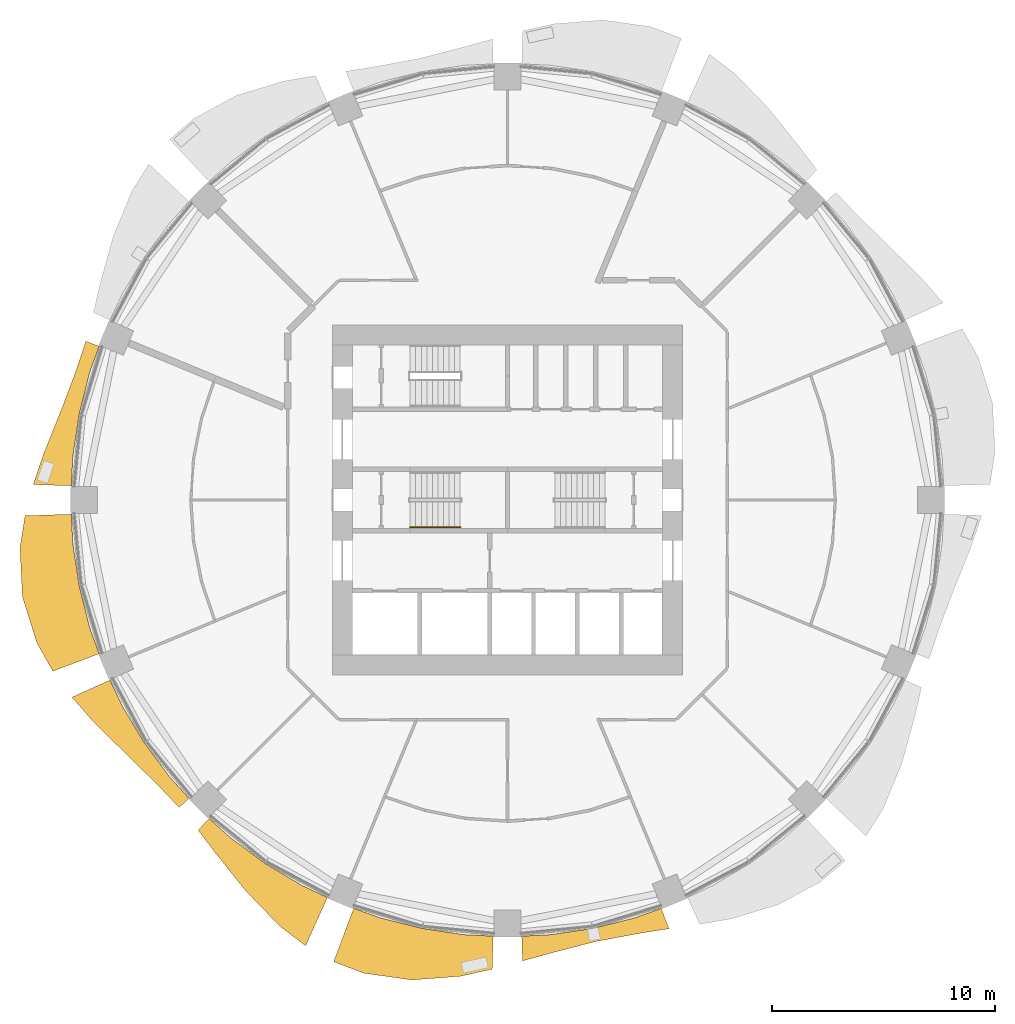
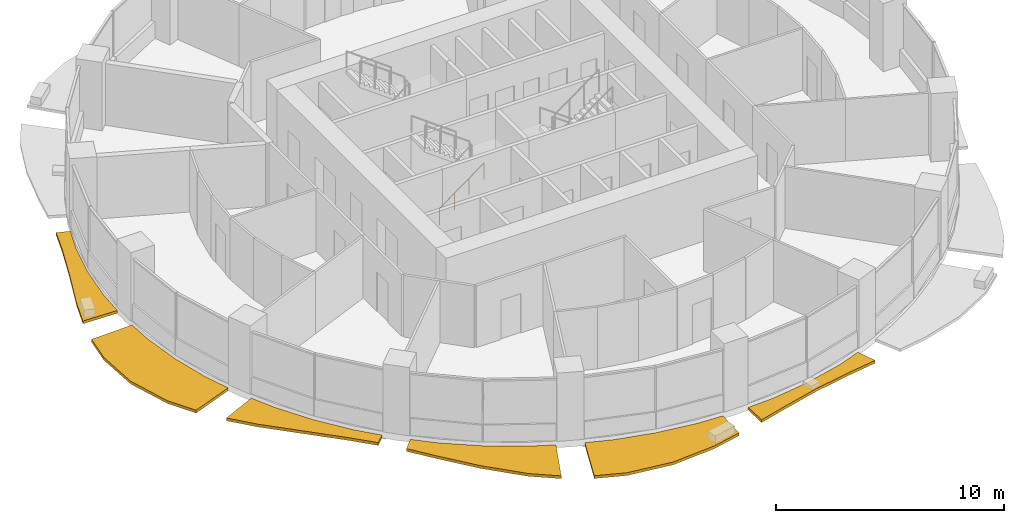
# One storey, part 12 of 15: 6 shading devices, 1 railing.
"""IFC4 building model written with IfcOpenShell, lengths in metres."""

from ifc_helpers import new_model, si_unit, direction, frame, origin, origin_2d, place, context, subcontext, project, spatial, polyline, circle, outline, extrude, material, type_object, element, save


model = new_model("IFC4")

# Units and contexts
model_context = context("Model", 3, precision=1e-05, world=origin(), true_north=direction((0.0, 1.0)))
body_context = subcontext(model_context, "Body", "Model", "MODEL_VIEW")
ifc_project = project(units=[si_unit("LENGTHUNIT", "METRE"), si_unit("AREAUNIT", "SQUARE_METRE"), si_unit("VOLUMEUNIT", "CUBIC_METRE"), si_unit("PLANEANGLEUNIT", "RADIAN"), si_unit("MASSUNIT", "GRAM", prefix="KILO")], contexts=[model_context])

# Site, building, storey
site_placement = place(None, origin())
site = spatial("IfcSite", under=ifc_project, at=site_placement, CompositionType="ELEMENT")
building_placement = place(site_placement, origin())
building = spatial("IfcBuilding", under=site, at=building_placement, Name="Polderwave Tower", CompositionType="ELEMENT")
storey_placement = place(building_placement, frame((0.0, 0.0, 55.39990234375)))
storey = spatial("IfcBuildingStorey", under=building, at=storey_placement, Name="L14", CompositionType="ELEMENT", Elevation=55.39990234375)

# Railing
ifc_material_1 = material(Name="Stainless steel", Category="steel")
railing_type = type_object("IfcRailingType", Name="Stair handrail 900", PredefinedType="HANDRAIL", material=ifc_material_1)
railing_placement = place(storey_placement, frame((-4.3740234375, -1.22509765625, 0.1826171875)))
element("IfcRailing", 1, at=railing_placement, inside=storey, type_object=railing_type, Name="L14 ST-A stair handrail 1", PredefinedType="HANDRAIL", context=body_context, shape_type="SweptSolid", body=[
    extrude(circle(Radius=0.02392578125, at=origin_2d()), frame((0.0, 0.0, 0.8759765625), z_axis=(0.807673635365, 0.0, 0.58962979804), x_axis=(0.0, 1.0, 0.0)), (0.0, 0.0, 1.0), 2.785888671875),
    extrude(circle(Radius=0.02099609375, at=origin_2d()), origin(), (0.0, 0.0, 1.0), 0.851806640625),
    extrude(circle(Radius=0.02099609375, at=origin_2d()), frame((0.75, 0.0, 0.547607421875)), (0.0, 0.0, 1.0), 0.851806640625),
    extrude(circle(Radius=0.02099609375, at=origin_2d()), frame((1.5, 0.0, 1.094970703125)), (0.0, 0.0, 1.0), 0.851806640625),
    extrude(circle(Radius=0.02099609375, at=origin_2d()), frame((2.25, 0.0, 1.642578125)), (0.0, 0.0, 1.0), 0.851806640625),
])

# Shading devices
ifc_material_2 = material(Name="Terracotta", Category="masonry")
shading_device_type = type_object("IfcShadingDeviceType", Name="Terracotta sunshade band", PredefinedType="USERDEFINED", material=ifc_material_2)
shading_device_1_placement = place(storey_placement, frame((0.0, 0.0, -0.349853515625)))
element("IfcShadingDevice", 2, at=shading_device_1_placement, inside=storey, type_object=shading_device_type, Name="Sunshade band L14 8", ObjectType="SUNSHADE", PredefinedType="USERDEFINED", context=body_context, shape_type="SweptSolid", body=[
    extrude(outline(polyline([(-18.35107421875, 6.91064453125), (-18.78466796875, 5.6982421875), (-19.252685546875, 3.82958984375), (-19.535400390625, 1.924072265625), (-19.5986328125, 0.637939453125), (-21.3125, 0.69384765625), (-20.85400390625, 2.053955078125), (-20.073974609375, 3.992919921875), (-19.364990234375, 5.874267578125), (-18.94873046875, 7.1357421875), (-18.35107421875, 6.91064453125)])), origin(), (0.0, 0.0, 1.0), 0.14990234375),
])
shading_device_2_placement = place(storey_placement, frame((0.0, 0.0, -0.349853515625)))
element("IfcShadingDevice", 3, at=shading_device_2_placement, inside=storey, type_object=shading_device_type, Name="Sunshade band L14 9", ObjectType="SUNSHADE", PredefinedType="USERDEFINED", context=body_context, shape_type="SweptSolid", body=[
    extrude(outline(polyline([(-19.5986328125, -0.637939453125), (-19.535400390625, -1.924072265625), (-19.252685546875, -3.82958984375), (-18.78466796875, -5.6982421875), (-18.35107421875, -6.91064453125), (-20.4296875, -7.693359375), (-21.152587890625, -6.41650390625), (-21.799560546875, -4.336181640625), (-21.906982421875, -2.15771484375), (-21.681884765625, -0.705810546875), (-19.5986328125, -0.637939453125)])), origin(), (0.0, 0.0, 1.0), 0.14990234375),
])
shading_device_3_placement = place(storey_placement, frame((0.0, 0.0, -0.349853515625)))
element("IfcShadingDevice", 4, at=shading_device_3_placement, inside=storey, type_object=shading_device_type, Name="Sunshade band L14 10", ObjectType="SUNSHADE", PredefinedType="USERDEFINED", context=body_context, shape_type="SweptSolid", body=[
    extrude(outline(polyline([(-17.862548828125, -8.089599609375), (-17.31201171875, -9.25341796875), (-16.32177734375, -10.90576171875), (-15.17431640625, -12.453125), (-14.3095703125, -13.4072265625), (-14.752197265625, -13.822021484375), (-15.667724609375, -12.858154296875), (-17.114501953125, -11.435546875), (-18.622802734375, -9.9541015625), (-19.571533203125, -8.863525390625), (-17.862548828125, -8.089599609375)])), origin(), (0.0, 0.0, 1.0), 0.14990234375),
])
shading_device_4_placement = place(storey_placement, frame((0.0, 0.0, -0.349853515625)))
element("IfcShadingDevice", 5, at=shading_device_4_placement, inside=storey, type_object=shading_device_type, Name="Sunshade band L14 11", ObjectType="SUNSHADE", PredefinedType="USERDEFINED", context=body_context, shape_type="SweptSolid", body=[
    extrude(outline(polyline([(-13.4072265625, -14.3095703125), (-12.453125, -15.17431640625), (-10.90576171875, -16.32177734375), (-9.25341796875, -17.31201171875), (-8.089599609375, -17.862548828125), (-9.072998046875, -20.033935546875), (-10.236572265625, -19.151123046875), (-11.7490234375, -17.583740234375), (-13.073486328125, -15.93017578125), (-13.903076171875, -14.838623046875), (-13.4072265625, -14.3095703125)])), origin(), (0.0, 0.0, 1.0), 0.14990234375),
])
shading_device_5_placement = place(storey_placement, frame((0.0, 0.0, -0.349853515625)))
element("IfcShadingDevice", 6, at=shading_device_5_placement, inside=storey, type_object=shading_device_type, Name="Sunshade band L14 12", ObjectType="SUNSHADE", PredefinedType="USERDEFINED", context=body_context, shape_type="SweptSolid", body=[
    extrude(outline(polyline([(-6.91064453125, -18.35107421875), (-5.6982421875, -18.78466796875), (-3.82958984375, -19.252685546875), (-1.924072265625, -19.535400390625), (-0.637939453125, -19.5986328125), (-0.686279296875, -21.0830078125), (-2.10791015625, -21.401611328125), (-4.29052734375, -21.5703125), (-6.451171875, -21.2666015625), (-7.813232421875, -20.747802734375), (-6.91064453125, -18.35107421875)])), origin(), (0.0, 0.0, 1.0), 0.14990234375),
])
shading_device_6_placement = place(storey_placement, frame((0.0, 0.0, -0.349853515625)))
element("IfcShadingDevice", 7, at=shading_device_6_placement, inside=storey, type_object=shading_device_type, Name="Sunshade band L14 13", ObjectType="SUNSHADE", PredefinedType="USERDEFINED", context=body_context, shape_type="SweptSolid", body=[
    extrude(outline(polyline([(0.637939453125, -19.5986328125), (1.924072265625, -19.535400390625), (3.82958984375, -19.252685546875), (5.6982421875, -18.78466796875), (6.91064453125, -18.35107421875), (7.255615234375, -19.26708984375), (5.908935546875, -19.479248046875), (3.947265625, -19.844482421875), (2.004150390625, -20.348388671875), (0.67431640625, -20.713623046875), (0.637939453125, -19.5986328125)])), origin(), (0.0, 0.0, 1.0), 0.14990234375),
])

save(model, "model.ifc")
